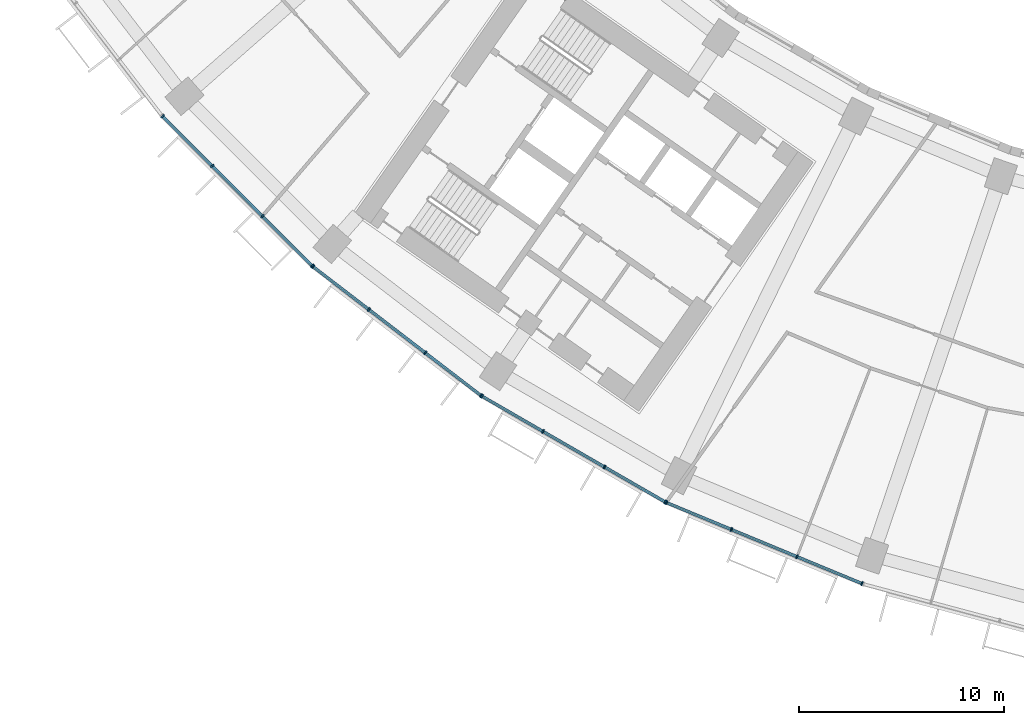
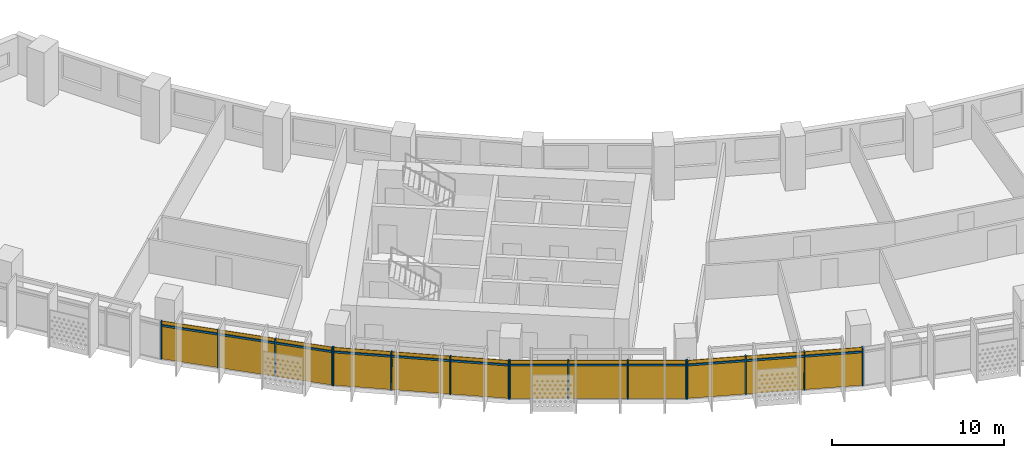
# One storey, part 17 of 28: 28 members, 4 curtain walls.
"""IFC4 building model written with IfcOpenShell, lengths in metres."""

from ifc_helpers import new_model, si_unit, direction, frame, origin, origin_2d, place, context, subcontext, project, spatial, rectangle, extrude, material, material_profile, profile_set, type_object, element, aggregate, save


model = new_model("IFC4")

# Units and contexts
model_context = context("Model", 3, precision=1e-05, world=origin(), true_north=direction((0.0, 1.0)))
body_context = subcontext(model_context, "Body", "Model", "MODEL_VIEW")
ifc_project = project(units=[si_unit("LENGTHUNIT", "METRE"), si_unit("AREAUNIT", "SQUARE_METRE"), si_unit("VOLUMEUNIT", "CUBIC_METRE"), si_unit("PLANEANGLEUNIT", "RADIAN"), si_unit("MASSUNIT", "GRAM", prefix="KILO")], contexts=[model_context])

# Member
ifc_material = material(Name="Aluminium 6063-T6 anodised", Category="aluminium")
ifc_material_profile_1 = material_profile(ifc_material, rectangle(XDim=0.199951171875, YDim=0.070068359375, at=origin_2d()))
ifc_profile_set_1 = profile_set([ifc_material_profile_1], Name="Aluminium 6063-T6 anodised")
member_type_1 = type_object("IfcMemberType", Name="Mullion 70 x 200 aluminium", PredefinedType="MULLION", material=ifc_profile_set_1)
site_placement = place(None, origin())
building_placement = place(site_placement, origin())
storey_placement = place(building_placement, frame((0.0, 0.0, 140.5)))
member_1_placement = place(storey_placement, frame((-59.525390625, -52.240234375, 0.0), z_axis=(0.0, 0.0, 1.0), x_axis=(0.707106781187, 0.707106781187, 0.0)))
member_1 = element("IfcMember", 1, at=member_1_placement, type_object=member_type_1, Name="e-cw1-L32-out03/M00", PredefinedType="MULLION", context=body_context, shape_type="SweptSolid", body=[
    extrude(rectangle(XDim=0.199951171875, YDim=0.070068359375, at=origin_2d()), origin(), (0.0, 0.0, 1.0), 2.699951171875),
])

member_2_placement = place(storey_placement, frame((-57.105224609375, -54.660400390625, 0.0), z_axis=(0.0, 0.0, 1.0), x_axis=(0.707106781187, 0.707106781187, 0.0)))
member_2 = element("IfcMember", 2, at=member_2_placement, type_object=member_type_1, Name="e-cw1-L32-out03/M01", PredefinedType="MULLION", context=body_context, shape_type="SweptSolid", body=[
    extrude(rectangle(XDim=0.199951171875, YDim=0.070068359375, at=origin_2d()), origin(), (0.0, 0.0, 1.0), 2.699951171875),
])

member_3_placement = place(storey_placement, frame((-54.660400390625, -57.105224609375, 0.0), z_axis=(0.0, 0.0, 1.0), x_axis=(0.707106781187, 0.707106781187, 0.0)))
member_3 = element("IfcMember", 3, at=member_3_placement, type_object=member_type_1, Name="e-cw1-L32-out03/M02", PredefinedType="MULLION", context=body_context, shape_type="SweptSolid", body=[
    extrude(rectangle(XDim=0.199951171875, YDim=0.070068359375, at=origin_2d()), origin(), (0.0, 0.0, 1.0), 2.699951171875),
])

member_4_placement = place(storey_placement, frame((-52.240234375, -59.525390625, 0.0), z_axis=(0.0, 0.0, 1.0), x_axis=(0.707106781187, 0.707106781187, 0.0)))
member_4 = element("IfcMember", 4, at=member_4_placement, type_object=member_type_1, Name="e-cw1-L32-out03/M03", PredefinedType="MULLION", context=body_context, shape_type="SweptSolid", body=[
    extrude(rectangle(XDim=0.199951171875, YDim=0.070068359375, at=origin_2d()), origin(), (0.0, 0.0, 1.0), 2.699951171875),
])

member_5_placement = place(storey_placement, frame((-52.197509765625, -59.56298828125, 0.0), z_axis=(0.0, 0.0, 1.0), x_axis=(0.608761429009, 0.793353340291, 0.0)))
member_5 = element("IfcMember", 5, at=member_5_placement, type_object=member_type_1, Name="e-cw1-L32-out04/M00", PredefinedType="MULLION", context=body_context, shape_type="SweptSolid", body=[
    extrude(rectangle(XDim=0.199951171875, YDim=0.070068359375, at=origin_2d()), origin(), (0.0, 0.0, 1.0), 2.699951171875),
])

member_6_placement = place(storey_placement, frame((-49.482177734375, -61.646484375, 0.0), z_axis=(0.0, 0.0, 1.0), x_axis=(0.608761429009, 0.793353340291, 0.0)))
member_6 = element("IfcMember", 6, at=member_6_placement, type_object=member_type_1, Name="e-cw1-L32-out04/M01", PredefinedType="MULLION", context=body_context, shape_type="SweptSolid", body=[
    extrude(rectangle(XDim=0.199951171875, YDim=0.070068359375, at=origin_2d()), origin(), (0.0, 0.0, 1.0), 2.699951171875),
])

member_7_placement = place(storey_placement, frame((-46.739013671875, -63.751220703125, 0.0), z_axis=(0.0, 0.0, 1.0), x_axis=(0.608761429009, 0.793353340291, 0.0)))
member_7 = element("IfcMember", 7, at=member_7_placement, type_object=member_type_1, Name="e-cw1-L32-out04/M02", PredefinedType="MULLION", context=body_context, shape_type="SweptSolid", body=[
    extrude(rectangle(XDim=0.199951171875, YDim=0.070068359375, at=origin_2d()), origin(), (0.0, 0.0, 1.0), 2.699951171875),
])

member_8_placement = place(storey_placement, frame((-44.023681640625, -65.8349609375, 0.0), z_axis=(0.0, 0.0, 1.0), x_axis=(0.608761429009, 0.793353340291, 0.0)))
member_8 = element("IfcMember", 8, at=member_8_placement, type_object=member_type_1, Name="e-cw1-L32-out04/M03", PredefinedType="MULLION", context=body_context, shape_type="SweptSolid", body=[
    extrude(rectangle(XDim=0.199951171875, YDim=0.070068359375, at=origin_2d()), origin(), (0.0, 0.0, 1.0), 2.699951171875),
])

member_9_placement = place(storey_placement, frame((-43.976318359375, -65.866455078125, 0.0), z_axis=(0.0, 0.0, 1.0), x_axis=(0.5, 0.866025403784, 0.0)))
member_9 = element("IfcMember", 9, at=member_9_placement, type_object=member_type_1, Name="e-cw1-L32-out05/M00", PredefinedType="MULLION", context=body_context, shape_type="SweptSolid", body=[
    extrude(rectangle(XDim=0.199951171875, YDim=0.070068359375, at=origin_2d()), origin(), (0.0, 0.0, 1.0), 2.699951171875),
])

member_10_placement = place(storey_placement, frame((-41.01220703125, -67.577880859375, 0.0), z_axis=(0.0, 0.0, 1.0), x_axis=(0.5, 0.866025403784, 0.0)))
member_10 = element("IfcMember", 10, at=member_10_placement, type_object=member_type_1, Name="e-cw1-L32-out05/M01", PredefinedType="MULLION", context=body_context, shape_type="SweptSolid", body=[
    extrude(rectangle(XDim=0.199951171875, YDim=0.070068359375, at=origin_2d()), origin(), (0.0, 0.0, 1.0), 2.699951171875),
])

member_11_placement = place(storey_placement, frame((-38.017822265625, -69.306640625, 0.0), z_axis=(0.0, 0.0, 1.0), x_axis=(0.5, 0.866025403784, 0.0)))
member_11 = element("IfcMember", 11, at=member_11_placement, type_object=member_type_1, Name="e-cw1-L32-out05/M02", PredefinedType="MULLION", context=body_context, shape_type="SweptSolid", body=[
    extrude(rectangle(XDim=0.199951171875, YDim=0.070068359375, at=origin_2d()), origin(), (0.0, 0.0, 1.0), 2.699951171875),
])

member_12_placement = place(storey_placement, frame((-35.0537109375, -71.017822265625, 0.0), z_axis=(0.0, 0.0, 1.0), x_axis=(0.5, 0.866025403784, 0.0)))
member_12 = element("IfcMember", 12, at=member_12_placement, type_object=member_type_1, Name="e-cw1-L32-out05/M03", PredefinedType="MULLION", context=body_context, shape_type="SweptSolid", body=[
    extrude(rectangle(XDim=0.199951171875, YDim=0.070068359375, at=origin_2d()), origin(), (0.0, 0.0, 1.0), 2.699951171875),
])

member_13_placement = place(storey_placement, frame((-35.0029296875, -71.04296875, 0.0), z_axis=(0.0, 0.0, 1.0), x_axis=(0.382683432365, 0.923879532511, 0.0)))
member_13 = element("IfcMember", 13, at=member_13_placement, type_object=member_type_1, Name="e-cw1-L32-out06/M00", PredefinedType="MULLION", context=body_context, shape_type="SweptSolid", body=[
    extrude(rectangle(XDim=0.199951171875, YDim=0.070068359375, at=origin_2d()), origin(), (0.0, 0.0, 1.0), 2.699951171875),
])

member_14_placement = place(storey_placement, frame((-31.8408203125, -72.352783203125, 0.0), z_axis=(0.0, 0.0, 1.0), x_axis=(0.382683432365, 0.923879532511, 0.0)))
member_14 = element("IfcMember", 14, at=member_14_placement, type_object=member_type_1, Name="e-cw1-L32-out06/M01", PredefinedType="MULLION", context=body_context, shape_type="SweptSolid", body=[
    extrude(rectangle(XDim=0.199951171875, YDim=0.070068359375, at=origin_2d()), origin(), (0.0, 0.0, 1.0), 2.699951171875),
])

member_15_placement = place(storey_placement, frame((-28.646240234375, -73.676025390625, 0.0), z_axis=(0.0, 0.0, 1.0), x_axis=(0.382683432365, 0.923879532511, 0.0)))
member_15 = element("IfcMember", 15, at=member_15_placement, type_object=member_type_1, Name="e-cw1-L32-out06/M02", PredefinedType="MULLION", context=body_context, shape_type="SweptSolid", body=[
    extrude(rectangle(XDim=0.199951171875, YDim=0.070068359375, at=origin_2d()), origin(), (0.0, 0.0, 1.0), 2.699951171875),
])

member_16_placement = place(storey_placement, frame((-25.484130859375, -74.98583984375, 0.0), z_axis=(0.0, 0.0, 1.0), x_axis=(0.382683432365, 0.923879532511, 0.0)))
member_16 = element("IfcMember", 16, at=member_16_placement, type_object=member_type_1, Name="e-cw1-L32-out06/M03", PredefinedType="MULLION", context=body_context, shape_type="SweptSolid", body=[
    extrude(rectangle(XDim=0.199951171875, YDim=0.070068359375, at=origin_2d()), origin(), (0.0, 0.0, 1.0), 2.699951171875),
])

ifc_material_profile_2 = material_profile(ifc_material, rectangle(XDim=0.139892578125, YDim=0.1201171875, at=origin_2d()))
ifc_profile_set_2 = profile_set([ifc_material_profile_2], Name="Aluminium 6063-T6 anodised")
member_type_2 = type_object("IfcMemberType", Name="Transom 120 x 140 aluminium", PredefinedType="USERDEFINED", material=ifc_profile_set_2)
member_17_placement = place(storey_placement, frame((-59.500732421875, -52.264892578125, 2.39990234375), z_axis=(0.707106781187, -0.707106781187, 0.0), x_axis=(0.707106781187, 0.707106781187, 0.0)))
member_17 = element("IfcMember", 17, at=member_17_placement, type_object=member_type_2, Name="e-cw1-L32-out03/T00", ObjectType="TRANSOM", PredefinedType="USERDEFINED", context=body_context, shape_type="SweptSolid", body=[
    extrude(rectangle(XDim=0.139892578125, YDim=0.1201171875, at=origin_2d()), origin(), (0.0, 0.0, 1.0), 3.3525390625),
])

member_18_placement = place(storey_placement, frame((-57.08056640625, -54.68505859375, 2.39990234375), z_axis=(0.707106781187, -0.707106781187, 0.0), x_axis=(0.707106781187, 0.707106781187, 0.0)))
member_18 = element("IfcMember", 18, at=member_18_placement, type_object=member_type_2, Name="e-cw1-L32-out03/T01", ObjectType="TRANSOM", PredefinedType="USERDEFINED", context=body_context, shape_type="SweptSolid", body=[
    extrude(rectangle(XDim=0.139892578125, YDim=0.1201171875, at=origin_2d()), origin(), (0.0, 0.0, 1.0), 3.3876953125),
])

member_19_placement = place(storey_placement, frame((-54.635498046875, -57.130126953125, 2.39990234375), z_axis=(0.707106781187, -0.707106781187, 0.0), x_axis=(0.707106781187, 0.707106781187, 0.0)))
member_19 = element("IfcMember", 19, at=member_19_placement, type_object=member_type_2, Name="e-cw1-L32-out03/T02", ObjectType="TRANSOM", PredefinedType="USERDEFINED", context=body_context, shape_type="SweptSolid", body=[
    extrude(rectangle(XDim=0.139892578125, YDim=0.1201171875, at=origin_2d()), origin(), (0.0, 0.0, 1.0), 3.3525390625),
])

member_20_placement = place(storey_placement, frame((-52.169677734375, -59.584228515625, 2.39990234375), z_axis=(0.793354308621, -0.608760167055, 0.0), x_axis=(0.608760167055, 0.793354308621, 0.0)))
member_20 = element("IfcMember", 20, at=member_20_placement, type_object=member_type_2, Name="e-cw1-L32-out04/T00", ObjectType="TRANSOM", PredefinedType="USERDEFINED", context=body_context, shape_type="SweptSolid", body=[
    extrude(rectangle(XDim=0.139892578125, YDim=0.1201171875, at=origin_2d()), origin(), (0.0, 0.0, 1.0), 3.352783203125),
])

member_21_placement = place(storey_placement, frame((-49.454345703125, -61.667724609375, 2.39990234375), z_axis=(0.793344133173, -0.608773427772, 0.0), x_axis=(0.608773427772, 0.793344133173, 0.0)))
member_21 = element("IfcMember", 21, at=member_21_placement, type_object=member_type_2, Name="e-cw1-L32-out04/T01", ObjectType="TRANSOM", PredefinedType="USERDEFINED", context=body_context, shape_type="SweptSolid", body=[
    extrude(rectangle(XDim=0.139892578125, YDim=0.1201171875, at=origin_2d()), origin(), (0.0, 0.0, 1.0), 3.387451171875),
])

member_22_placement = place(storey_placement, frame((-46.711181640625, -63.772705078125, 2.39990234375), z_axis=(0.793389477316, -0.608714331426, 0.0), x_axis=(0.608714331426, 0.793389477316, 0.0)))
member_22 = element("IfcMember", 22, at=member_22_placement, type_object=member_type_2, Name="e-cw1-L32-out04/T02", ObjectType="TRANSOM", PredefinedType="USERDEFINED", context=body_context, shape_type="SweptSolid", body=[
    extrude(rectangle(XDim=0.139892578125, YDim=0.1201171875, at=origin_2d()), origin(), (0.0, 0.0, 1.0), 3.3525390625),
])

member_23_placement = place(storey_placement, frame((-43.946044921875, -65.884033203125, 2.39990234375), z_axis=(0.866020654818, -0.50000822536, 0.0), x_axis=(0.50000822536, 0.866020654818, 0.0)))
member_23 = element("IfcMember", 23, at=member_23_placement, type_object=member_type_2, Name="e-cw1-L32-out05/T00", ObjectType="TRANSOM", PredefinedType="USERDEFINED", context=body_context, shape_type="SweptSolid", body=[
    extrude(rectangle(XDim=0.139892578125, YDim=0.1201171875, at=origin_2d()), origin(), (0.0, 0.0, 1.0), 3.3525390625),
])

member_24_placement = place(storey_placement, frame((-40.98193359375, -67.59521484375, 2.39990234375), z_axis=(0.866025971257, -0.499999017107, 0.0), x_axis=(0.499999017107, 0.866025971257, 0.0)))
member_24 = element("IfcMember", 24, at=member_24_placement, type_object=member_type_2, Name="e-cw1-L32-out05/T01", ObjectType="TRANSOM", PredefinedType="USERDEFINED", context=body_context, shape_type="SweptSolid", body=[
    extrude(rectangle(XDim=0.139892578125, YDim=0.1201171875, at=origin_2d()), origin(), (0.0, 0.0, 1.0), 3.3876953125),
])

member_25_placement = place(storey_placement, frame((-37.987548828125, -69.323974609375, 2.39990234375), z_axis=(0.865989120267, -0.50006283963, 0.0), x_axis=(0.50006283963, 0.865989120267, 0.0)))
member_25 = element("IfcMember", 25, at=member_25_placement, type_object=member_type_2, Name="e-cw1-L32-out05/T02", ObjectType="TRANSOM", PredefinedType="USERDEFINED", context=body_context, shape_type="SweptSolid", body=[
    extrude(rectangle(XDim=0.139892578125, YDim=0.1201171875, at=origin_2d()), origin(), (0.0, 0.0, 1.0), 3.3525390625),
])

member_26_placement = place(storey_placement, frame((-34.970458984375, -71.056396484375, 2.39990234375), z_axis=(0.923882814237, -0.382675509483, 0.0), x_axis=(0.382675509483, 0.923882814237, 0.0)))
member_26 = element("IfcMember", 26, at=member_26_placement, type_object=member_type_2, Name="e-cw1-L32-out06/T00", ObjectType="TRANSOM", PredefinedType="USERDEFINED", context=body_context, shape_type="SweptSolid", body=[
    extrude(rectangle(XDim=0.139892578125, YDim=0.1201171875, at=origin_2d()), origin(), (0.0, 0.0, 1.0), 3.3525390625),
])

member_27_placement = place(storey_placement, frame((-31.808349609375, -72.3662109375, 2.39990234375), z_axis=(0.923874529423, -0.382695510666, 0.0), x_axis=(0.382695510666, 0.923874529423, 0.0)))
member_27 = element("IfcMember", 27, at=member_27_placement, type_object=member_type_2, Name="e-cw1-L32-out06/T01", ObjectType="TRANSOM", PredefinedType="USERDEFINED", context=body_context, shape_type="SweptSolid", body=[
    extrude(rectangle(XDim=0.139892578125, YDim=0.1201171875, at=origin_2d()), origin(), (0.0, 0.0, 1.0), 3.387451171875),
])

member_28_placement = place(storey_placement, frame((-28.614013671875, -73.689453125, 2.39990234375), z_axis=(0.923882814237, -0.382675509483, 0.0), x_axis=(0.382675509483, 0.923882814237, 0.0)))
member_28 = element("IfcMember", 28, at=member_28_placement, type_object=member_type_2, Name="e-cw1-L32-out06/T02", ObjectType="TRANSOM", PredefinedType="USERDEFINED", context=body_context, shape_type="SweptSolid", body=[
    extrude(rectangle(XDim=0.139892578125, YDim=0.1201171875, at=origin_2d()), origin(), (0.0, 0.0, 1.0), 3.3525390625),
])

# Site, building, storey
site = spatial("IfcSite", under=ifc_project, at=site_placement, CompositionType="ELEMENT")
building = spatial("IfcBuilding", under=site, at=building_placement, Name="Qamariyya Broadcast Tower", CompositionType="ELEMENT")
storey = spatial("IfcBuildingStorey", under=building, at=storey_placement, Name="L32", CompositionType="ELEMENT", Elevation=140.5)

# Curtain wall
curtain_wall_type = type_object("IfcCurtainWallType", Name="Unitised curtain wall, anodised aluminium", PredefinedType="NOTDEFINED", material=ifc_material)
curtain_wall_1_placement = place(storey_placement, origin())
curtain_wall_1 = element("IfcCurtainWall", 29, at=curtain_wall_1_placement, inside=storey, type_object=curtain_wall_type, Name="e-cw1-L32-out03", PredefinedType="NOTDEFINED", context=body_context, shape_type="SweptSolid", body=[
    extrude(rectangle(XDim=3.352783203125, YDim=0.031982421875, at=origin_2d()), frame((-58.3154296875, -53.4501953125, 0.0), x_axis=(0.707106781187, -0.707106781187, 0.0)), (0.0, 0.0, 1.0), 2.340087890625),
    extrude(rectangle(XDim=3.352783203125, YDim=0.031982421875, at=origin_2d()), frame((-58.3154296875, -53.4501953125, 2.4599609375), x_axis=(0.707106781187, -0.707106781187, 0.0)), (0.0, 0.0, 1.0), 0.239990234375),
    extrude(rectangle(XDim=3.3876953125, YDim=0.031982421875, at=origin_2d()), frame((-55.8828125, -55.8828125, 0.0), x_axis=(0.707106781187, -0.707106781187, 0.0)), (0.0, 0.0, 1.0), 2.340087890625),
    extrude(rectangle(XDim=3.3876953125, YDim=0.031982421875, at=origin_2d()), frame((-55.8828125, -55.8828125, 2.4599609375), x_axis=(0.707106781187, -0.707106781187, 0.0)), (0.0, 0.0, 1.0), 0.239990234375),
    extrude(rectangle(XDim=3.352783203125, YDim=0.031982421875, at=origin_2d()), frame((-53.4501953125, -58.3154296875, 0.0), x_axis=(0.707106781187, -0.707106781187, 0.0)), (0.0, 0.0, 1.0), 2.340087890625),
    extrude(rectangle(XDim=3.352783203125, YDim=0.031982421875, at=origin_2d()), frame((-53.4501953125, -58.3154296875, 2.4599609375), x_axis=(0.707106781187, -0.707106781187, 0.0)), (0.0, 0.0, 1.0), 0.239990234375),
])

aggregate(curtain_wall_1, [member_1, member_2, member_3, member_4, member_17, member_18, member_19])

curtain_wall_2_placement = place(storey_placement, origin())
curtain_wall_2 = element("IfcCurtainWall", 30, at=curtain_wall_2_placement, inside=storey, type_object=curtain_wall_type, Name="e-cw1-L32-out04", PredefinedType="NOTDEFINED", context=body_context, shape_type="SweptSolid", body=[
    extrude(rectangle(XDim=3.352783203125, YDim=0.031982421875, at=origin_2d()), frame((-50.83984375, -60.6044921875, 0.0), x_axis=(0.793354000839, -0.608760568165, 0.0)), (0.0, 0.0, 1.0), 2.340087890625),
    extrude(rectangle(XDim=3.352783203125, YDim=0.031982421875, at=origin_2d()), frame((-50.83984375, -60.6044921875, 2.4599609375), x_axis=(0.793354000839, -0.608760568165, 0.0)), (0.0, 0.0, 1.0), 0.239990234375),
    extrude(rectangle(XDim=3.3876953125, YDim=0.031982421875, at=origin_2d()), frame((-48.110595703125, -62.69873046875, 0.0), x_axis=(0.793354000839, -0.608760568165, 0.0)), (0.0, 0.0, 1.0), 2.340087890625),
    extrude(rectangle(XDim=3.3876953125, YDim=0.031982421875, at=origin_2d()), frame((-48.110595703125, -62.69873046875, 2.4599609375), x_axis=(0.793354000839, -0.608760568165, 0.0)), (0.0, 0.0, 1.0), 0.239990234375),
    extrude(rectangle(XDim=3.352783203125, YDim=0.031982421875, at=origin_2d()), frame((-45.38134765625, -64.793212890625, 0.0), x_axis=(0.793354000839, -0.608760568165, 0.0)), (0.0, 0.0, 1.0), 2.340087890625),
    extrude(rectangle(XDim=3.352783203125, YDim=0.031982421875, at=origin_2d()), frame((-45.38134765625, -64.793212890625, 2.4599609375), x_axis=(0.793354000839, -0.608760568165, 0.0)), (0.0, 0.0, 1.0), 0.239990234375),
])

aggregate(curtain_wall_2, [member_5, member_6, member_7, member_8, member_20, member_21, member_22])

curtain_wall_3_placement = place(storey_placement, origin())
curtain_wall_3 = element("IfcCurtainWall", 31, at=curtain_wall_3_placement, inside=storey, type_object=curtain_wall_type, Name="e-cw1-L32-out05", PredefinedType="NOTDEFINED", context=body_context, shape_type="SweptSolid", body=[
    extrude(rectangle(XDim=3.352783203125, YDim=0.031982421875, at=origin_2d()), frame((-42.494384765625, -66.72216796875, 0.0), x_axis=(0.866027243369, -0.499996813733, 0.0)), (0.0, 0.0, 1.0), 2.340087890625),
    extrude(rectangle(XDim=3.352783203125, YDim=0.031982421875, at=origin_2d()), frame((-42.494384765625, -66.72216796875, 2.4599609375), x_axis=(0.866027243369, -0.499996813733, 0.0)), (0.0, 0.0, 1.0), 0.239990234375),
    extrude(rectangle(XDim=3.3876953125, YDim=0.031982421875, at=origin_2d()), frame((-39.51513671875, -68.442138671875, 0.0), x_axis=(0.866027243369, -0.499996813733, 0.0)), (0.0, 0.0, 1.0), 2.340087890625),
    extrude(rectangle(XDim=3.3876953125, YDim=0.031982421875, at=origin_2d()), frame((-39.51513671875, -68.442138671875, 2.4599609375), x_axis=(0.866027243369, -0.499996813733, 0.0)), (0.0, 0.0, 1.0), 0.239990234375),
    extrude(rectangle(XDim=3.352783203125, YDim=0.031982421875, at=origin_2d()), frame((-36.535888671875, -70.162109375, 0.0), x_axis=(0.866027243369, -0.499996813733, 0.0)), (0.0, 0.0, 1.0), 2.340087890625),
    extrude(rectangle(XDim=3.352783203125, YDim=0.031982421875, at=origin_2d()), frame((-36.535888671875, -70.162109375, 2.4599609375), x_axis=(0.866027243369, -0.499996813733, 0.0)), (0.0, 0.0, 1.0), 0.239990234375),
])

aggregate(curtain_wall_3, [member_9, member_10, member_11, member_12, member_23, member_24, member_25])

curtain_wall_4_placement = place(storey_placement, origin())
curtain_wall_4 = element("IfcCurtainWall", 32, at=curtain_wall_4_placement, inside=storey, type_object=curtain_wall_type, Name="e-cw1-L32-out06", PredefinedType="NOTDEFINED", context=body_context, shape_type="SweptSolid", body=[
    extrude(rectangle(XDim=3.3525390625, YDim=0.031982421875, at=origin_2d()), frame((-33.421875, -71.69775390625, 0.0), x_axis=(0.923872250857, -0.382701011361, 0.0)), (0.0, 0.0, 1.0), 2.340087890625),
    extrude(rectangle(XDim=3.3525390625, YDim=0.031982421875, at=origin_2d()), frame((-33.421875, -71.69775390625, 2.4599609375), x_axis=(0.923872250857, -0.382701011361, 0.0)), (0.0, 0.0, 1.0), 0.239990234375),
    extrude(rectangle(XDim=3.3876953125, YDim=0.031982421875, at=origin_2d()), frame((-30.24365234375, -73.014404296875, 0.0), x_axis=(0.923872250857, -0.382701011361, 0.0)), (0.0, 0.0, 1.0), 2.340087890625),
    extrude(rectangle(XDim=3.3876953125, YDim=0.031982421875, at=origin_2d()), frame((-30.24365234375, -73.014404296875, 2.4599609375), x_axis=(0.923872250857, -0.382701011361, 0.0)), (0.0, 0.0, 1.0), 0.239990234375),
    extrude(rectangle(XDim=3.3525390625, YDim=0.031982421875, at=origin_2d()), frame((-27.065185546875, -74.3310546875, 0.0), x_axis=(0.923872250857, -0.382701011361, 0.0)), (0.0, 0.0, 1.0), 2.340087890625),
    extrude(rectangle(XDim=3.3525390625, YDim=0.031982421875, at=origin_2d()), frame((-27.065185546875, -74.3310546875, 2.4599609375), x_axis=(0.923872250857, -0.382701011361, 0.0)), (0.0, 0.0, 1.0), 0.239990234375),
])

aggregate(curtain_wall_4, [member_13, member_14, member_15, member_16, member_26, member_27, member_28])

save(model, "model.ifc")
